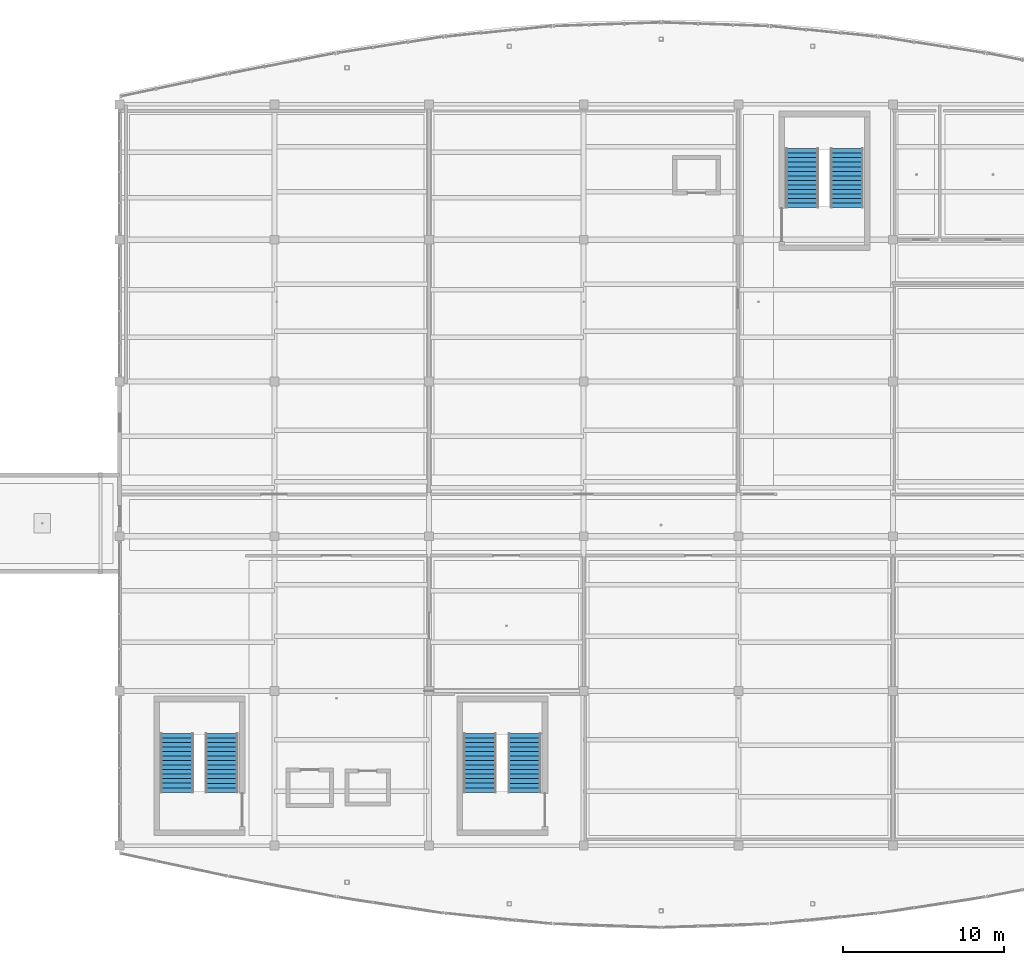
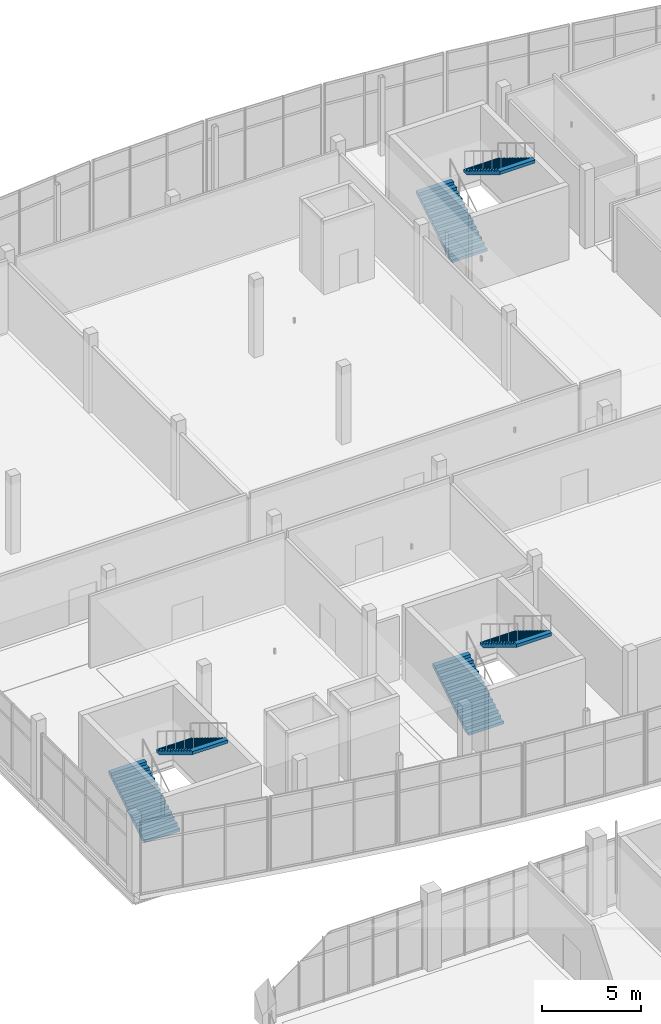
# One storey, part 138 of 157: 6 stair flights, 3 elements without a shape of their own.
"""IFC4 building model written with IfcOpenShell, lengths in metres."""

import ifcopenshell
import ifcopenshell.guid

model = None  # the IFC model being written
_history = None  # IfcOwnerHistory: only IFC2X3 demands one
_inside = {}  # id of a spatial element -> (the spatial element, [elements in it])
_under = {}  # id of a project, library or spatial element -> (it, [spatial elements below it])
_declared = {}  # id of a project -> (the project, [libraries it declares])
_typed = {}  # id of a type object -> (the type object, [elements of that type])
_made_of = {}  # id of a material, layer set ... -> (it, [elements and type objects made of it])


def new_model(schema):
    """Start an empty IFC model of exactly this schema.

    Asked for "IFC4X3", IfcOpenShell would pick the latest addendum, in which some entities
    have other attributes; the version numbers below select the first issue.
    IFC2X3 requires an IfcOwnerHistory on every rooted entity: one is made here for all.
    """
    global model, _history
    if schema == "IFC4X3":
        model = ifcopenshell.file(schema_version=(4, 3, 0, 0))
    else:
        model = ifcopenshell.file(schema=schema)
    _inside.clear()
    _under.clear()
    _declared.clear()
    _typed.clear()
    _made_of.clear()
    _history = None
    if model.schema == "IFC2X3":
        org = make("IfcOrganization", Name="unknown")
        user = make(
            "IfcPersonAndOrganization",
            ThePerson=make("IfcPerson", FamilyName="unknown"),
            TheOrganization=org,
        )
        app = make(
            "IfcApplication",
            ApplicationDeveloper=org,
            Version="unknown",
            ApplicationFullName="unknown",
            ApplicationIdentifier="unknown",
        )
        _history = make(
            "IfcOwnerHistory",
            OwningUser=user,
            OwningApplication=app,
            ChangeAction="ADDED",
            CreationDate=0,
        )
    return model


def make(cls, **values):
    """One entity of the class cls with the attributes given. An attribute that is None is left unset."""
    return model.create_entity(
        cls, **{name: value for name, value in values.items() if value is not None}
    )


def rooted(cls, **values):
    """An entity with a GlobalId (a new one), such as an element, a storey or a relation."""
    return make(cls, GlobalId=ifcopenshell.guid.new(), OwnerHistory=_history, **values)


def si_unit(unit_type, name, prefix=None):
    """IfcSIUnit, for example si_unit("LENGTHUNIT", "METRE", prefix="MILLI")."""
    return make("IfcSIUnit", UnitType=unit_type, Prefix=prefix, Name=name)


def assignment(units):
    """IfcUnitAssignment: the units of a project."""
    return None if units is None else make("IfcUnitAssignment", Units=units)


def point(xyz):
    """IfcCartesianPoint."""
    return None if xyz is None else make("IfcCartesianPoint", Coordinates=xyz)


def direction(xyz):
    """IfcDirection."""
    return None if xyz is None else make("IfcDirection", DirectionRatios=xyz)


def frame(location, z_axis=None, x_axis=None):
    """IfcAxis2Placement3D, a coordinate frame: its origin and axes. An axis left out is left unset."""
    return make(
        "IfcAxis2Placement3D",
        Location=point(location),
        Axis=direction(z_axis),
        RefDirection=direction(x_axis),
    )


def origin():
    """The frame at (0, 0, 0) with its axes left unset."""
    return frame((0.0, 0.0, 0.0))


def place(relative_to, where):
    """IfcLocalPlacement: puts the frame where relative to a parent placement (None: the world)."""
    return make(
        "IfcLocalPlacement", PlacementRelTo=relative_to, RelativePlacement=where
    )


def context(
    kind, dimensions, precision=None, world=None, true_north=None, identifier=None
):
    """IfcGeometricRepresentationContext, for example the 3D "Model" context."""
    return make(
        "IfcGeometricRepresentationContext",
        ContextIdentifier=identifier,
        ContextType=kind,
        CoordinateSpaceDimension=dimensions,
        Precision=precision,
        WorldCoordinateSystem=world,
        TrueNorth=true_north,
    )


def subcontext(parent, identifier, kind, view, scale=None):
    """IfcGeometricRepresentationSubContext, for example "Body" below "Model"."""
    return make(
        "IfcGeometricRepresentationSubContext",
        ContextIdentifier=identifier,
        ContextType=kind,
        ParentContext=parent,
        TargetScale=scale,
        TargetView=view,
    )


def project(units=None, contexts=None):
    """IfcProject with its units and contexts."""
    return rooted(
        "IfcProject",
        Name="project",
        RepresentationContexts=contexts,
        UnitsInContext=assignment(units),
    )


def spatial(cls, under=None, at=None, **own):
    """A site, building, storey or space (cls), placed at a placement, below another one or the project."""
    s = rooted(cls, ObjectPlacement=at, **own)
    if under is not None:
        _under.setdefault(under.id(), (under, []))[1].append(s)
    return s


def polyline(points):
    """IfcPolyline through the points."""
    return make("IfcPolyline", Points=[point(p) for p in points])


def outline(outer, holes=None, kind="AREA"):
    """IfcArbitraryClosedProfileDef: a profile drawn as a closed curve; with holes, ...WithVoids."""
    if holes is None:
        return make("IfcArbitraryClosedProfileDef", ProfileType=kind, OuterCurve=outer)
    return make(
        "IfcArbitraryProfileDefWithVoids",
        ProfileType=kind,
        OuterCurve=outer,
        InnerCurves=holes,
    )


def extrude(swept, where, along, depth):
    """IfcExtrudedAreaSolid: the profile swept, set in the frame where, extruded along a direction by depth."""
    return make(
        "IfcExtrudedAreaSolid",
        SweptArea=swept,
        Position=where,
        ExtrudedDirection=direction(along),
        Depth=depth,
    )


def shape(context_of_items, identifier, shape_type, items):
    """IfcShapeRepresentation: the items that make up one representation, for example the "Body"."""
    return make(
        "IfcShapeRepresentation",
        ContextOfItems=context_of_items,
        RepresentationIdentifier=identifier,
        RepresentationType=shape_type,
        Items=items,
    )


def material(Name=None, Category=None):
    """IfcMaterial."""
    return make("IfcMaterial", Name=Name, Category=Category)


def layer(
    of_material, thickness, ventilated=None, Name=None, Category=None, Priority=None
):
    """IfcMaterialLayer: one layer of a wall or slab, of a material (None: an air gap)."""
    return make(
        "IfcMaterialLayer",
        Material=of_material,
        LayerThickness=thickness,
        IsVentilated=ventilated,
        Name=Name,
        Category=Category,
        Priority=Priority,
    )


def layer_set(layers, Name=None):
    """IfcMaterialLayerSet."""
    return make("IfcMaterialLayerSet", MaterialLayers=layers, LayerSetName=Name)


def made_of(thing, what):
    """Note that an element or type object is made of a material, layer set ...; save() writes the relation."""
    if what is not None:
        _made_of.setdefault(what.id(), (what, []))[1].append(thing)
    return thing


def type_object(cls, material=None, **own):
    """A type object (cls), such as IfcWallType, which elements share."""
    return made_of(rooted(cls, **own), material)


def element(
    cls,
    number,
    at=None,
    inside=None,
    cuts=None,
    type_object=None,
    material=None,
    context=None,
    identifier="Body",
    shape_type=None,
    held_by="IfcProductDefinitionShape",
    body=None,
    shapes=None,
    **own,
):
    """One element of the class cls, such as IfcWall. Its Tag is "e" and its number.

    at: its placement. inside: the storey or other place that contains it. cuts: it is an
    opening in that element (IfcRelVoidsElement). A single representation is given by context,
    identifier, shape_type and body (its items); several are given by shapes. held_by: the class
    of the entity that holds the representations. save() writes the other relations.
    """
    e = rooted(cls, Tag="e%d" % number, ObjectPlacement=at, **own)
    if body is not None:
        shapes = [shape(context, identifier, shape_type, body)]
    if shapes is not None:
        e.Representation = make(held_by, Representations=shapes)
    if inside is not None:
        _inside.setdefault(inside.id(), (inside, []))[1].append(e)
    if cuts is not None:
        rooted(
            "IfcRelVoidsElement", RelatingBuildingElement=cuts, RelatedOpeningElement=e
        )
    if type_object is not None:
        _typed.setdefault(type_object.id(), (type_object, []))[1].append(e)
    return made_of(e, material)


def aggregate(whole, parts):
    """IfcRelAggregates: a whole, such as a stair, and the parts it consists of."""
    return rooted("IfcRelAggregates", RelatingObject=whole, RelatedObjects=parts)


def save(model, path):
    """Write the relations noted so far, then the file.

    IfcRelAggregates (storeys below a building ...), IfcRelContainedInSpatialStructure (elements
    in a storey), IfcRelDefinesByType, IfcRelAssociatesMaterial and IfcRelDeclares: one each for
    every whole, place, type object, material and project.
    """
    for whole, parts in _under.values():
        aggregate(whole, parts)
    for where, things in _inside.values():
        rooted(
            "IfcRelContainedInSpatialStructure",
            RelatedElements=things,
            RelatingStructure=where,
        )
    for kind, things in _typed.values():
        rooted("IfcRelDefinesByType", RelatedObjects=things, RelatingType=kind)
    for what, things in _made_of.values():
        rooted("IfcRelAssociatesMaterial", RelatedObjects=things, RelatingMaterial=what)
    for by, libraries in _declared.values():
        rooted("IfcRelDeclares", RelatingContext=by, RelatedDefinitions=libraries)
    model.write(path)


model = new_model("IFC4")

# Units and contexts
model_context = context("Model", 3, precision=1e-05, world=origin(), true_north=direction((0.0, 1.0)))
body_context = subcontext(model_context, "Body", "Model", "MODEL_VIEW")
ifc_project = project(units=[si_unit("LENGTHUNIT", "METRE"), si_unit("AREAUNIT", "SQUARE_METRE"), si_unit("VOLUMEUNIT", "CUBIC_METRE"), si_unit("PLANEANGLEUNIT", "RADIAN"), si_unit("MASSUNIT", "GRAM", prefix="KILO")], contexts=[model_context])

# Site, building, storey
site_placement = place(None, origin())
site = spatial("IfcSite", under=ifc_project, at=site_placement, CompositionType="ELEMENT")
building_placement = place(site_placement, origin())
building = spatial("IfcBuilding", under=site, at=building_placement, Name="Chalmorin Arch Market", CompositionType="ELEMENT")
storey_placement = place(building_placement, frame((0.0, 0.0, 4.800048828125)))
storey = spatial("IfcBuildingStorey", under=building, at=storey_placement, Name="L01", CompositionType="ELEMENT", Elevation=4.800048828125)

# Stair, stair flights
ifc_material = material(Name="Concrete C40/50", Category="concrete")
stair_type_1 = type_object("IfcStairType", Name="DoglegExitStair-28R-SC5", PredefinedType="HALF_TURN_STAIR", material=ifc_material)
stair_1_placement = place(storey_placement, origin())
stair_1 = element("IfcStair", 1, at=stair_1_placement, inside=storey, type_object=stair_type_1, Name="ST-13", PredefinedType="HALF_TURN_STAIR")
ifc_layer = layer(ifc_material, 0.1650390625)
ifc_layer_set = layer_set([ifc_layer], Name="Concrete C40/50")
stair_flight_type = type_object("IfcStairFlightType", Name="CoreStairFlight-2050", PredefinedType="STRAIGHT", material=ifc_layer_set)
stair_flight_1_placement = place(storey_placement, frame((51.56494140625, 75.31005859375, 0.0), z_axis=(0.0, 0.0, 1.0), x_axis=(0.0, 1.0, 0.0)))
stair_flight_1 = element("IfcStairFlight", 2, at=stair_flight_1_placement, type_object=stair_flight_type, Name="ST-13-F1", NumberOfRisers=14, NumberOfTreads=13, PredefinedType="STRAIGHT", RiserHeight=0.171429, TreadLength=0.28, context=body_context, shape_type="SweptSolid", body=[
    extrude(outline(polyline([(0.0, 0.0), (0.0, 0.17138671875), (0.280029296875, 0.17138671875), (0.280029296875, 0.3427734375), (0.56005859375, 0.3427734375), (0.56005859375, 0.514404296875), (0.840087890625, 0.514404296875), (0.840087890625, 0.685791015625), (1.1201171875, 0.685791015625), (1.1201171875, 0.857177734375), (1.39990234375, 0.857177734375), (1.39990234375, 1.028564453125), (1.679931640625, 1.028564453125), (1.679931640625, 1.199951171875), (1.9599609375, 1.199951171875), (1.9599609375, 1.371337890625), (2.239990234375, 1.371337890625), (2.239990234375, 1.54296875), (2.52001953125, 1.54296875), (2.52001953125, 1.71435546875), (2.800048828125, 1.71435546875), (2.800048828125, 1.8857421875), (3.080078125, 1.8857421875), (3.080078125, 2.05712890625), (3.360107421875, 2.05712890625), (3.360107421875, 2.228515625), (3.639892578125, 2.228515625), (3.639892578125, 2.39990234375), (3.639892578125, 2.03515625), (0.316162109375, 0.0), (0.0, 0.0)])), frame((0.0, 1.02490234375, 0.0), z_axis=(0.0, -1.0, 0.0), x_axis=(1.0, 0.0, 0.0)), (0.0, 0.0, 1.0), 2.050048828125),
])
stair_flight_2_placement = place(storey_placement, frame((54.3349609375, 78.949951171875, 2.39990234375), z_axis=(0.0, 0.0, 1.0), x_axis=(0.0, -1.0, 0.0)))
stair_flight_2 = element("IfcStairFlight", 3, at=stair_flight_2_placement, type_object=stair_flight_type, Name="ST-13-F2", NumberOfRisers=14, NumberOfTreads=13, PredefinedType="STRAIGHT", RiserHeight=0.171429, TreadLength=0.28, context=body_context, shape_type="SweptSolid", body=[
    extrude(outline(polyline([(0.0, 0.0), (0.0, 0.17138671875), (0.280029296875, 0.17138671875), (0.280029296875, 0.3427734375), (0.56005859375, 0.3427734375), (0.56005859375, 0.514404296875), (0.840087890625, 0.514404296875), (0.840087890625, 0.685791015625), (1.1201171875, 0.685791015625), (1.1201171875, 0.857177734375), (1.39990234375, 0.857177734375), (1.39990234375, 1.028564453125), (1.679931640625, 1.028564453125), (1.679931640625, 1.199951171875), (1.9599609375, 1.199951171875), (1.9599609375, 1.371337890625), (2.239990234375, 1.371337890625), (2.239990234375, 1.54296875), (2.52001953125, 1.54296875), (2.52001953125, 1.71435546875), (2.800048828125, 1.71435546875), (2.800048828125, 1.8857421875), (3.080078125, 1.8857421875), (3.080078125, 2.05712890625), (3.360107421875, 2.05712890625), (3.360107421875, 2.228515625), (3.639892578125, 2.228515625), (3.639892578125, 2.39990234375), (3.639892578125, 2.03515625), (0.316162109375, 0.0), (0.0, 0.0)])), frame((0.0, 1.02490234375, 0.0), z_axis=(0.0, -1.0, 0.0), x_axis=(1.0, 0.0, 0.0)), (0.0, 0.0, 1.0), 2.050048828125),
])
aggregate(stair_1, [stair_flight_1, stair_flight_2])

stair_type_2 = type_object("IfcStairType", Name="DoglegExitStair-28R-SC6", PredefinedType="HALF_TURN_STAIR", material=ifc_material)
stair_2_placement = place(storey_placement, origin())
stair_2 = element("IfcStair", 4, at=stair_2_placement, inside=storey, type_object=stair_type_2, Name="ST-17", PredefinedType="HALF_TURN_STAIR")
stair_flight_3_placement = place(storey_placement, frame((90.364990234375, 111.610107421875, 0.0), z_axis=(0.0, 0.0, 1.0), x_axis=(0.0, 1.0, 0.0)))
stair_flight_3 = element("IfcStairFlight", 5, at=stair_flight_3_placement, type_object=stair_flight_type, Name="ST-17-F1", NumberOfRisers=14, NumberOfTreads=13, PredefinedType="STRAIGHT", RiserHeight=0.171429, TreadLength=0.28, context=body_context, shape_type="SweptSolid", body=[
    extrude(outline(polyline([(0.0, 0.0), (0.0, 0.17138671875), (0.280029296875, 0.17138671875), (0.280029296875, 0.3427734375), (0.56005859375, 0.3427734375), (0.56005859375, 0.514404296875), (0.840087890625, 0.514404296875), (0.840087890625, 0.685791015625), (1.1201171875, 0.685791015625), (1.1201171875, 0.857177734375), (1.39990234375, 0.857177734375), (1.39990234375, 1.028564453125), (1.679931640625, 1.028564453125), (1.679931640625, 1.199951171875), (1.9599609375, 1.199951171875), (1.9599609375, 1.371337890625), (2.239990234375, 1.371337890625), (2.239990234375, 1.54296875), (2.52001953125, 1.54296875), (2.52001953125, 1.71435546875), (2.800048828125, 1.71435546875), (2.800048828125, 1.8857421875), (3.080078125, 1.8857421875), (3.080078125, 2.05712890625), (3.360107421875, 2.05712890625), (3.360107421875, 2.228515625), (3.639892578125, 2.228515625), (3.639892578125, 2.39990234375), (3.639892578125, 2.03515625), (0.316162109375, 0.0), (0.0, 0.0)])), frame((0.0, 1.02490234375, 0.0), z_axis=(0.0, -1.0, 0.0), x_axis=(1.0, 0.0, 0.0)), (0.0, 0.0, 1.0), 2.050048828125),
])
stair_flight_4_placement = place(storey_placement, frame((93.135009765625, 115.25, 2.39990234375), z_axis=(0.0, 0.0, 1.0), x_axis=(0.0, -1.0, 0.0)))
stair_flight_4 = element("IfcStairFlight", 6, at=stair_flight_4_placement, type_object=stair_flight_type, Name="ST-17-F2", NumberOfRisers=14, NumberOfTreads=13, PredefinedType="STRAIGHT", RiserHeight=0.171429, TreadLength=0.28, context=body_context, shape_type="SweptSolid", body=[
    extrude(outline(polyline([(0.0, 0.0), (0.0, 0.17138671875), (0.280029296875, 0.17138671875), (0.280029296875, 0.3427734375), (0.56005859375, 0.3427734375), (0.56005859375, 0.514404296875), (0.840087890625, 0.514404296875), (0.840087890625, 0.685791015625), (1.1201171875, 0.685791015625), (1.1201171875, 0.857177734375), (1.39990234375, 0.857177734375), (1.39990234375, 1.028564453125), (1.679931640625, 1.028564453125), (1.679931640625, 1.199951171875), (1.9599609375, 1.199951171875), (1.9599609375, 1.371337890625), (2.239990234375, 1.371337890625), (2.239990234375, 1.54296875), (2.52001953125, 1.54296875), (2.52001953125, 1.71435546875), (2.800048828125, 1.71435546875), (2.800048828125, 1.8857421875), (3.080078125, 1.8857421875), (3.080078125, 2.05712890625), (3.360107421875, 2.05712890625), (3.360107421875, 2.228515625), (3.639892578125, 2.228515625), (3.639892578125, 2.39990234375), (3.639892578125, 2.03515625), (0.316162109375, 0.0), (0.0, 0.0)])), frame((0.0, 1.02490234375, 0.0), z_axis=(0.0, -1.0, 0.0), x_axis=(1.0, 0.0, 0.0)), (0.0, 0.0, 1.0), 2.050048828125),
])
aggregate(stair_2, [stair_flight_3, stair_flight_4])

stair_type_3 = type_object("IfcStairType", Name="DoglegExitStair-28R-SC7", PredefinedType="HALF_TURN_STAIR", material=ifc_material)
stair_3_placement = place(storey_placement, origin())
stair_3 = element("IfcStair", 7, at=stair_3_placement, inside=storey, type_object=stair_type_3, Name="ST-21", PredefinedType="HALF_TURN_STAIR")
stair_flight_5_placement = place(storey_placement, frame((70.364990234375, 75.31005859375, 0.0), z_axis=(0.0, 0.0, 1.0), x_axis=(0.0, 1.0, 0.0)))
stair_flight_5 = element("IfcStairFlight", 8, at=stair_flight_5_placement, type_object=stair_flight_type, Name="ST-21-F1", NumberOfRisers=14, NumberOfTreads=13, PredefinedType="STRAIGHT", RiserHeight=0.171429, TreadLength=0.28, context=body_context, shape_type="SweptSolid", body=[
    extrude(outline(polyline([(0.0, 0.0), (0.0, 0.17138671875), (0.280029296875, 0.17138671875), (0.280029296875, 0.3427734375), (0.56005859375, 0.3427734375), (0.56005859375, 0.514404296875), (0.840087890625, 0.514404296875), (0.840087890625, 0.685791015625), (1.1201171875, 0.685791015625), (1.1201171875, 0.857177734375), (1.39990234375, 0.857177734375), (1.39990234375, 1.028564453125), (1.679931640625, 1.028564453125), (1.679931640625, 1.199951171875), (1.9599609375, 1.199951171875), (1.9599609375, 1.371337890625), (2.239990234375, 1.371337890625), (2.239990234375, 1.54296875), (2.52001953125, 1.54296875), (2.52001953125, 1.71435546875), (2.800048828125, 1.71435546875), (2.800048828125, 1.8857421875), (3.080078125, 1.8857421875), (3.080078125, 2.05712890625), (3.360107421875, 2.05712890625), (3.360107421875, 2.228515625), (3.639892578125, 2.228515625), (3.639892578125, 2.39990234375), (3.639892578125, 2.03515625), (0.316162109375, 0.0), (0.0, 0.0)])), frame((0.0, 1.02490234375, 0.0), z_axis=(0.0, -1.0, 0.0), x_axis=(1.0, 0.0, 0.0)), (0.0, 0.0, 1.0), 2.050048828125),
])
stair_flight_6_placement = place(storey_placement, frame((73.135009765625, 78.949951171875, 2.39990234375), z_axis=(0.0, 0.0, 1.0), x_axis=(0.0, -1.0, 0.0)))
stair_flight_6 = element("IfcStairFlight", 9, at=stair_flight_6_placement, type_object=stair_flight_type, Name="ST-21-F2", NumberOfRisers=14, NumberOfTreads=13, PredefinedType="STRAIGHT", RiserHeight=0.171429, TreadLength=0.28, context=body_context, shape_type="SweptSolid", body=[
    extrude(outline(polyline([(0.0, 0.0), (0.0, 0.17138671875), (0.280029296875, 0.17138671875), (0.280029296875, 0.3427734375), (0.56005859375, 0.3427734375), (0.56005859375, 0.514404296875), (0.840087890625, 0.514404296875), (0.840087890625, 0.685791015625), (1.1201171875, 0.685791015625), (1.1201171875, 0.857177734375), (1.39990234375, 0.857177734375), (1.39990234375, 1.028564453125), (1.679931640625, 1.028564453125), (1.679931640625, 1.199951171875), (1.9599609375, 1.199951171875), (1.9599609375, 1.371337890625), (2.239990234375, 1.371337890625), (2.239990234375, 1.54296875), (2.52001953125, 1.54296875), (2.52001953125, 1.71435546875), (2.800048828125, 1.71435546875), (2.800048828125, 1.8857421875), (3.080078125, 1.8857421875), (3.080078125, 2.05712890625), (3.360107421875, 2.05712890625), (3.360107421875, 2.228515625), (3.639892578125, 2.228515625), (3.639892578125, 2.39990234375), (3.639892578125, 2.03515625), (0.316162109375, 0.0), (0.0, 0.0)])), frame((0.0, 1.02490234375, 0.0), z_axis=(0.0, -1.0, 0.0), x_axis=(1.0, 0.0, 0.0)), (0.0, 0.0, 1.0), 2.050048828125),
])
aggregate(stair_3, [stair_flight_5, stair_flight_6])

save(model, "model.ifc")
